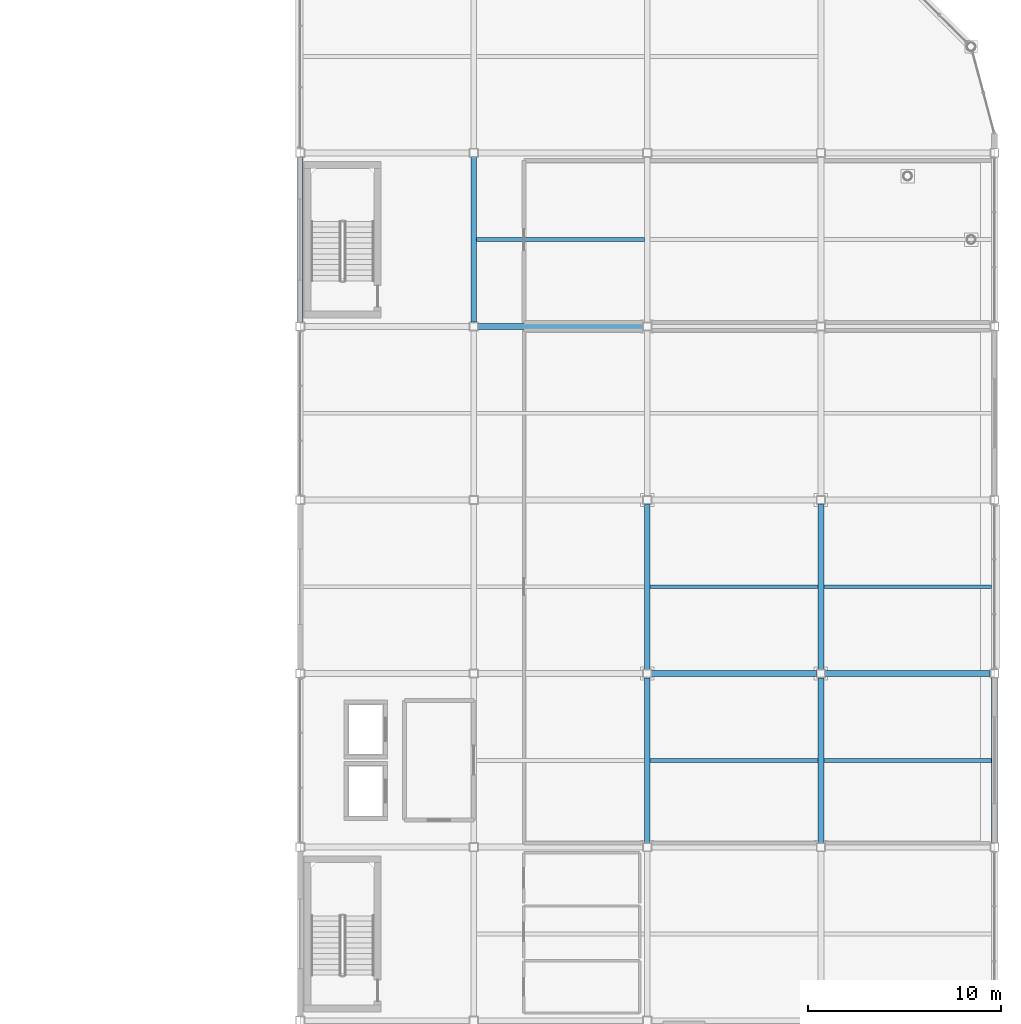
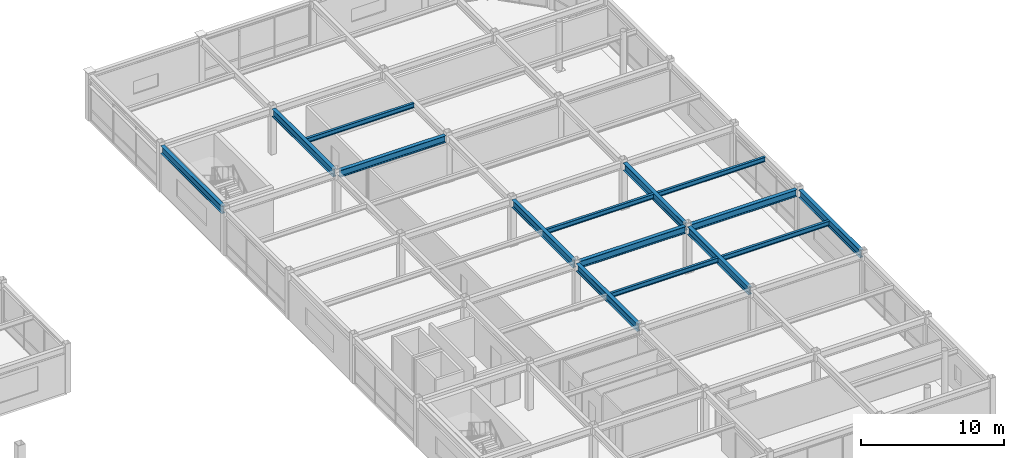
# One storey, part 57 of 105: 15 beams.
"""IFC4 building model written with IfcOpenShell, lengths in metres."""

from ifc_helpers import new_model, si_unit, direction, frame, origin, origin_2d, place, context, subcontext, project, spatial, i_section, extrude, material, material_profile, profile_set, type_object, element, save


model = new_model("IFC4")

# Units and contexts
model_context = context("Model", 3, precision=1e-05, world=origin(), true_north=direction((0.0, 1.0)))
body_context = subcontext(model_context, "Body", "Model", "MODEL_VIEW")
ifc_project = project(units=[si_unit("LENGTHUNIT", "METRE"), si_unit("AREAUNIT", "SQUARE_METRE"), si_unit("VOLUMEUNIT", "CUBIC_METRE"), si_unit("PLANEANGLEUNIT", "RADIAN"), si_unit("MASSUNIT", "GRAM", prefix="KILO")], contexts=[model_context])

# Site, building, storey
site_placement = place(None, origin())
site = spatial("IfcSite", under=ifc_project, at=site_placement, CompositionType="ELEMENT")
building_placement = place(site_placement, origin())
building = spatial("IfcBuilding", under=site, at=building_placement, Name="Suzunagisa Mobility Hub", CompositionType="ELEMENT")
storey_placement = place(building_placement, frame((0.0, 0.0, 5.10009765625)))
storey = spatial("IfcBuildingStorey", under=building, at=storey_placement, Name="L01", CompositionType="ELEMENT", Elevation=5.10009765625)

# Beams
ifc_material_1 = material(Name="Steel SN490B", Category="steel")
ifc_material_profile_1 = material_profile(ifc_material_1, i_section(OverallWidth=0.300048828125, OverallDepth=0.64990234375, WebThickness=0.012939453125, FlangeThickness=0.02197265625, FilletRadius=0.01611328125, at=origin_2d()), Name="H-650x300x13x22")
ifc_profile_set_1 = profile_set([ifc_material_profile_1], Name="Steel SN490B")
beam_type_1 = type_object("IfcBeamType", Name="Steel Beam BM-10 H-650x300x13x22", PredefinedType="BEAM", material=ifc_profile_set_1)
for number, where, z_axis, x_axis, name in (
    (1, (144.0, 89.220947265625, 3.625), (0.0, 1.0, 0.0), (-1.0, 0.0, 0.0), "L01 Primary Girder GY-1828"),
    (2, (153.0, 89.220947265625, 3.625), (0.0, 1.0, 0.0), (-1.0, 0.0, 0.0), "L01 Primary Girder GY-1834"),
    (3, (162.0, 62.220947265625, 3.625), (0.0, 1.0, 0.0), (-1.0, 0.0, 0.0), "L01 Primary Girder GY-1837"),
    (4, (162.0, 71.220947265625, 3.625), (0.0, 1.0, 0.0), (-1.0, 0.0, 0.0), "L01 Primary Girder GY-1838"),
    (5, (171.0, 62.220947265625, 3.625), (0.0, 1.0, 0.0), (-1.0, 0.0, 0.0), "L01 Primary Girder GY-1843"),
    (6, (171.0, 71.220947265625, 3.625), (0.0, 1.0, 0.0), (-1.0, 0.0, 0.0), "L01 Primary Girder GY-1844"),
    (7, (180.0, 62.220947265625, 3.625), (0.0, 1.0, 0.0), (-1.0, 0.0, 0.0), "L01 Primary Girder GY-1849"),
):
    element("IfcBeam", number, at=place(storey_placement, frame(where, z_axis=z_axis, x_axis=x_axis)), inside=storey, type_object=beam_type_1, Name=name, PredefinedType="BEAM", context=body_context, shape_type="SweptSolid", body=[
        extrude(i_section(OverallWidth=0.300048828125, OverallDepth=0.64990234375, WebThickness=0.012939453125, FlangeThickness=0.02197265625, FilletRadius=0.01611328125, at=origin_2d()), origin(), (0.0, 0.0, 1.0), 8.55810546875),
    ])
ifc_material_2 = material(Name="Steel SN400B", Category="steel")
ifc_material_profile_2 = material_profile(ifc_material_2, i_section(OverallWidth=0.199951171875, OverallDepth=0.39990234375, WebThickness=0.008056640625, FlangeThickness=0.012939453125, FilletRadius=0.012939453125, at=origin_2d()), Name="H-400x200x8x13")
ifc_profile_set_2 = profile_set([ifc_material_profile_2], Name="Steel SN400B")
beam_type_2 = type_object("IfcBeamType", Name="Steel Beam BM-14 H-400x200x8x13", PredefinedType="JOIST", material=ifc_profile_set_2)
for number, where, z_axis, x_axis, name in (
    (8, (153.14990234375, 93.5, 3.75), (1.0, 0.0, 0.0), (0.0, 1.0, 0.0), "L01 Composite Floor Joist J-1861"),
    (9, (162.14990234375, 66.5, 3.75), (1.0, 0.0, 0.0), (0.0, 1.0, 0.0), "L01 Composite Floor Joist J-1863"),
    (10, (162.14990234375, 75.5, 3.75), (1.0, 0.0, 0.0), (0.0, 1.0, 0.0), "L01 Composite Floor Joist J-1864"),
    (11, (171.14990234375, 66.5, 3.75), (1.0, 0.0, 0.0), (0.0, 1.0, 0.0), "L01 Composite Floor Joist J-1869"),
    (12, (171.14990234375, 75.5, 3.75), (1.0, 0.0, 0.0), (0.0, 1.0, 0.0), "L01 Composite Floor Joist J-1870"),
):
    element("IfcBeam", number, at=place(storey_placement, frame(where, z_axis=z_axis, x_axis=x_axis)), inside=storey, type_object=beam_type_2, Name=name, PredefinedType="JOIST", context=body_context, shape_type="SweptSolid", body=[
        extrude(i_section(OverallWidth=0.199951171875, OverallDepth=0.39990234375, WebThickness=0.008056640625, FlangeThickness=0.012939453125, FilletRadius=0.012939453125, at=origin_2d()), origin(), (0.0, 0.0, 1.0), 8.7001953125),
    ])
ifc_material_profile_3 = material_profile(ifc_material_1, i_section(OverallWidth=0.300048828125, OverallDepth=0.587890625, WebThickness=0.011962890625, FlangeThickness=0.02001953125, FilletRadius=0.012939453125, at=origin_2d()), Name="H-588x300x12x20")
ifc_profile_set_3 = profile_set([ifc_material_profile_3], Name="Steel SN490B")
beam_type_3 = type_object("IfcBeamType", Name="Steel Beam BM-16 H-588x300x12x20", PredefinedType="BEAM", material=ifc_profile_set_3)
for number, where, z_axis, x_axis, name in (
    (13, (162.220947265625, 71.0, 3.656005859375), (1.0, 0.0, 0.0), (0.0, 1.0, 0.0), "L01 Primary Girder GX-1809"),
    (14, (171.220947265625, 71.0, 3.656005859375), (1.0, 0.0, 0.0), (0.0, 1.0, 0.0), "L01 Primary Girder GX-1810"),
    (15, (153.220947265625, 89.0, 3.656005859375), (1.0, 0.0, 0.0), (0.0, 1.0, 0.0), "L01 Primary Girder GX-1816"),
):
    element("IfcBeam", number, at=place(storey_placement, frame(where, z_axis=z_axis, x_axis=x_axis)), inside=storey, type_object=beam_type_3, Name=name, PredefinedType="BEAM", context=body_context, shape_type="SweptSolid", body=[
        extrude(i_section(OverallWidth=0.300048828125, OverallDepth=0.587890625, WebThickness=0.011962890625, FlangeThickness=0.02001953125, FilletRadius=0.012939453125, at=origin_2d()), origin(), (0.0, 0.0, 1.0), 8.55810546875),
    ])

save(model, "model.ifc")
